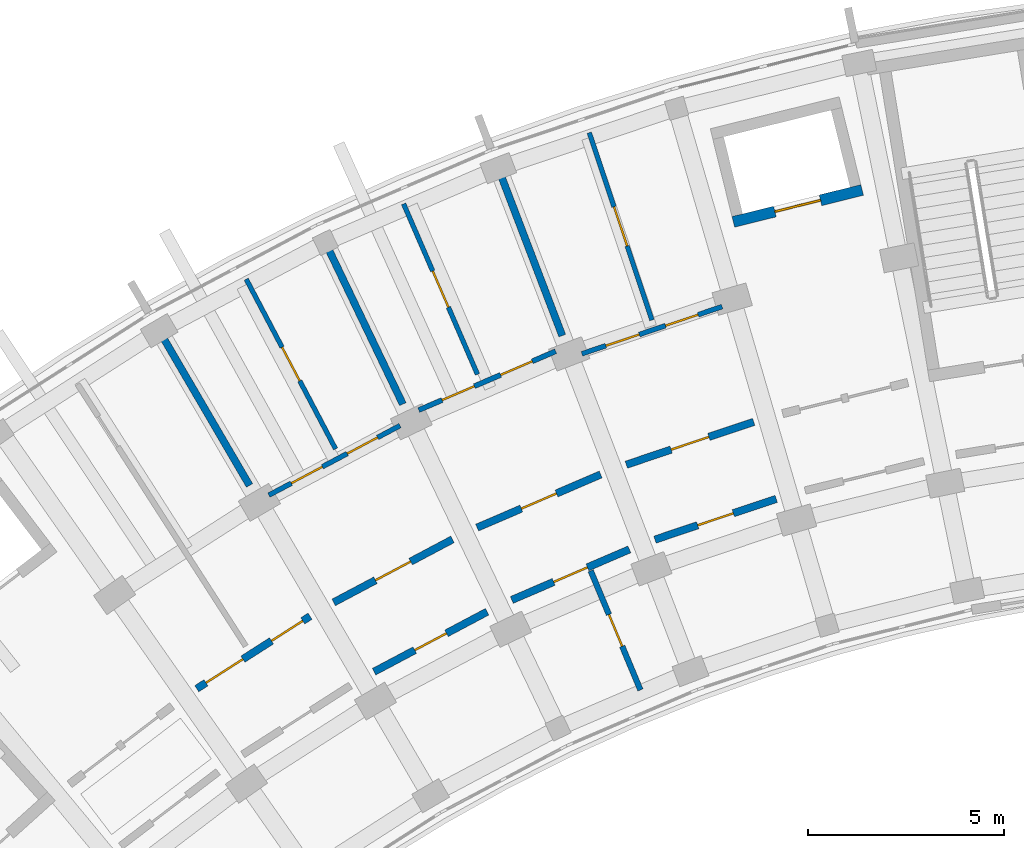
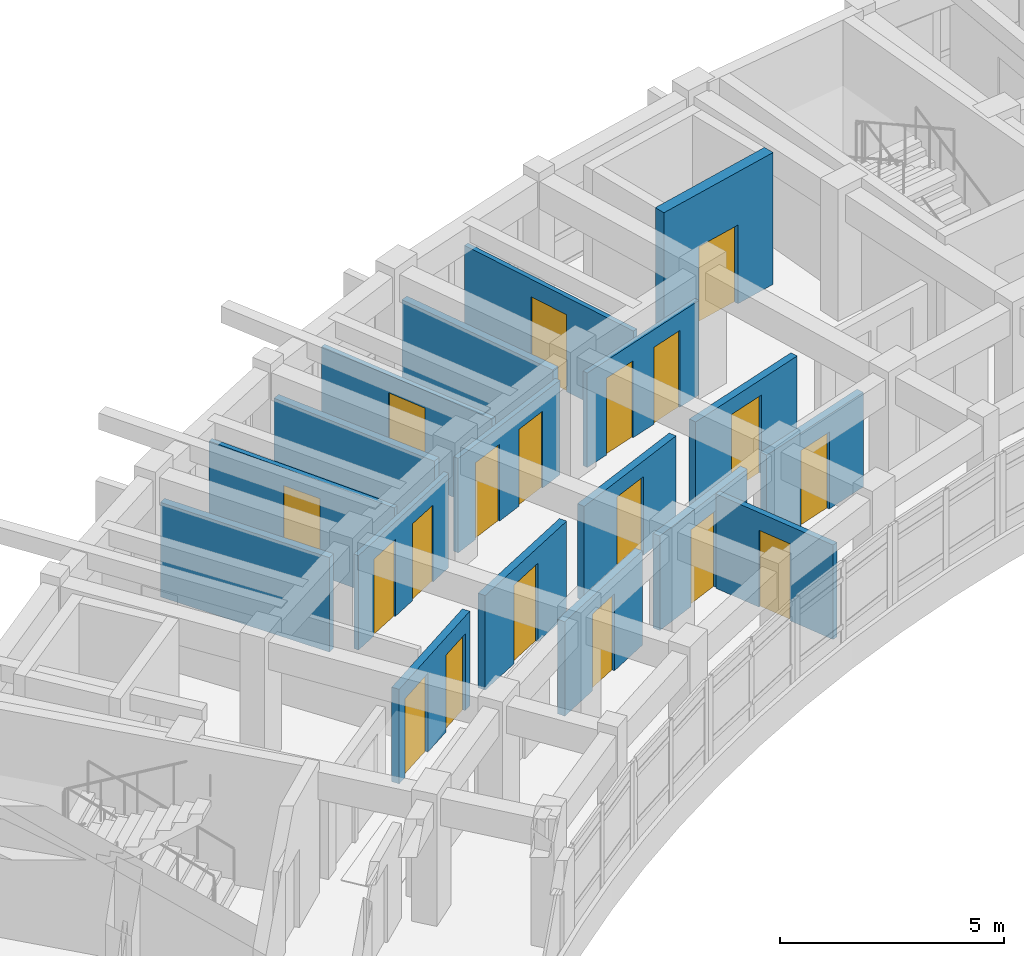
# One storey, part 60 of 83: 19 doors, 18 walls, 19 openings.
"""IFC4 building model written with IfcOpenShell, lengths in metres."""

from ifc_helpers import new_model, si_unit, direction, frame, frame_2d, origin, place, context, subcontext, project, spatial, rectangle, extrude, material, layer, layer_set, type_object, element, fill, save


model = new_model("IFC4")

# Units and contexts
model_context = context("Model", 3, precision=1e-05, world=origin(), true_north=direction((0.0, 1.0)))
body_context = subcontext(model_context, "Body", "Model", "MODEL_VIEW")
ifc_project = project(units=[si_unit("LENGTHUNIT", "METRE"), si_unit("AREAUNIT", "SQUARE_METRE"), si_unit("VOLUMEUNIT", "CUBIC_METRE"), si_unit("PLANEANGLEUNIT", "RADIAN"), si_unit("MASSUNIT", "GRAM", prefix="KILO")], contexts=[model_context])

# Site, building, storey
site_placement = place(None, origin())
site = spatial("IfcSite", under=ifc_project, at=site_placement, CompositionType="ELEMENT")
building_placement = place(site_placement, origin())
building = spatial("IfcBuilding", under=site, at=building_placement, Name="Zimvara Arc Housing Community", CompositionType="ELEMENT")
storey_placement = place(building_placement, frame((0.0, 0.0, 4.5)))
storey = spatial("IfcBuildingStorey", under=building, at=storey_placement, Name="L01", CompositionType="ELEMENT", Elevation=4.5)

# Wall, openings, doors
ifc_material_1 = material(Name="Concrete C35/45", Category="concrete")
ifc_layer_1 = layer(ifc_material_1, 0.18994140625)
ifc_layer_set_1 = layer_set([ifc_layer_1], Name="Concrete C35/45")
wall_type_1 = type_object("IfcWallType", Name="IWL-CORR-190", PredefinedType="SOLIDWALL", material=ifc_layer_set_1)
wall_1_placement = place(storey_placement, frame((16.272216796875, 86.198974609375, 0.0), z_axis=(0.0, 0.0, 1.0), x_axis=(0.842257205985, 0.539075874963, 0.0)))
wall_1 = element("IfcWall", 1, at=wall_1_placement, inside=storey, type_object=wall_type_1, Name="iwall:blkA:L01:corr_out:b3", PredefinedType="SOLIDWALL", context=body_context, shape_type="SweptSolid", body=[
    extrude(rectangle(XDim=3.43603515625, YDim=0.18994140625, at=frame_2d((1.718017578125, 0.0))), origin(), (0.0, 0.0, 1.0), 2.580078125),
])
opening_1_placement = place(wall_1_placement, frame((0.280029296875, 0.0, 0.0)))
opening_1 = element("IfcOpeningElement", 2, at=opening_1_placement, cuts=wall_1, Name="Opening D07", PredefinedType="OPENING", context=body_context, shape_type="SweptSolid", body=[
    extrude(rectangle(XDim=1.1201171875, YDim=2.14990234375, at=frame_2d((0.56005859375, 1.074951171875))), frame((0.0, 0.10498046875, 0.0), z_axis=(0.0, -1.0, 0.0), x_axis=(1.0, 0.0, 0.0)), (0.0, 0.0, 1.0), 0.2099609375),
])
opening_2_placement = place(wall_1_placement, frame((2.26611328125, 0.0, 0.0)))
opening_2 = element("IfcOpeningElement", 3, at=opening_2_placement, cuts=wall_1, Name="Opening D06", PredefinedType="OPENING", context=body_context, shape_type="SweptSolid", body=[
    extrude(rectangle(XDim=0.949951171875, YDim=2.10009765625, at=frame_2d((0.47509765625, 1.050048828125))), frame((0.0, 0.10498046875, 0.0), z_axis=(0.0, -1.0, 0.0), x_axis=(1.0, 0.0, 0.0)), (0.0, 0.0, 1.0), 0.2099609375),
])
ifc_material_2 = material(Name="Mozambican Hardwood", Category="wood")
door_type_1 = type_object("IfcDoorType", Name="IDR-AMN-1120x2150", OperationType="NOTDEFINED", PredefinedType="DOOR", material=ifc_material_2)
door_1_placement = place(opening_1_placement, origin())
door_1 = element("IfcDoor", 4, at=door_1_placement, inside=storey, type_object=door_type_1, Name="idoor:blkA:L01:amen:b3", OperationType="SINGLE_SWING_RIGHT", OverallHeight=2.14990234375, OverallWidth=1.1201171875, PredefinedType="DOOR", context=body_context, shape_type="SweptSolid", body=[
    extrude(rectangle(XDim=1.1201171875, YDim=2.14990234375, at=frame_2d((0.56005859375, 1.074951171875))), frame((0.0, 0.02490234375, 0.0), z_axis=(0.0, -1.0, 0.0), x_axis=(1.0, 0.0, 0.0)), (0.0, 0.0, 1.0), 0.050048828125),
])
fill(opening_1, door_1)
ifc_material_3 = material(Name="Mozambican Hardwood", Category="wood")
door_type_2 = type_object("IfcDoorType", Name="IDR-AWC-0950x2100", OperationType="NOTDEFINED", PredefinedType="DOOR", material=ifc_material_3)
door_2_placement = place(opening_2_placement, origin())
door_2 = element("IfcDoor", 5, at=door_2_placement, inside=storey, type_object=door_type_2, Name="idoor:blkA:L01:cawc:b3", OperationType="SINGLE_SWING_LEFT", OverallHeight=2.10009765625, OverallWidth=0.949951171875, PredefinedType="DOOR", context=body_context, shape_type="SweptSolid", body=[
    extrude(rectangle(XDim=0.949951171875, YDim=2.10009765625, at=frame_2d((0.47509765625, 1.050048828125))), frame((0.0, 0.02490234375, 0.0), z_axis=(0.0, -1.0, 0.0), x_axis=(1.0, 0.0, 0.0)), (0.0, 0.0, 1.0), 0.050048828125),
])
fill(opening_2, door_2)

# Wall, opening, door
wall_2_placement = place(storey_placement, frame((19.770263671875, 88.40380859375, 0.0), z_axis=(0.0, 0.0, 1.0), x_axis=(0.883410853063, 0.468599258099, 0.0)))
wall_2 = element("IfcWall", 6, at=wall_2_placement, inside=storey, type_object=wall_type_1, Name="iwall:blkA:L01:corr_out:b4", PredefinedType="SOLIDWALL", context=body_context, shape_type="SweptSolid", body=[
    extrude(rectangle(XDim=3.43603515625, YDim=0.18994140625, at=frame_2d((1.718017578125, 0.0))), origin(), (0.0, 0.0, 1.0), 2.580078125),
])
opening_3_placement = place(wall_2_placement, frame((1.2080078125, 0.0, 0.0)))
opening_3 = element("IfcOpeningElement", 7, at=opening_3_placement, cuts=wall_2, Name="Opening FD-FL2", PredefinedType="OPENING", context=body_context, shape_type="SweptSolid", body=[
    extrude(rectangle(XDim=1.02001953125, YDim=2.14990234375, at=frame_2d((0.510009765625, 1.074951171875))), frame((0.0, 0.10498046875, 0.0), z_axis=(0.0, -1.0, 0.0), x_axis=(1.0, 0.0, 0.0)), (0.0, 0.0, 1.0), 0.2099609375),
])
ifc_material_4 = material(Name="Mozambican Hardwood", Category="wood")
door_type_3 = type_object("IfcDoorType", Name="IDR-FLAT-1020x2150", OperationType="NOTDEFINED", PredefinedType="DOOR", material=ifc_material_4)
door_3_placement = place(opening_3_placement, origin())
door_3 = element("IfcDoor", 8, at=door_3_placement, inside=storey, type_object=door_type_3, Name="idoor:blkA:L01:flat:b4", OperationType="SINGLE_SWING_RIGHT", OverallHeight=2.14990234375, OverallWidth=1.02001953125, PredefinedType="DOOR", context=body_context, shape_type="SweptSolid", body=[
    extrude(rectangle(XDim=1.02001953125, YDim=2.14990234375, at=frame_2d((0.510009765625, 1.074951171875))), frame((0.0, 0.02490234375, 0.0), z_axis=(0.0, -1.0, 0.0), x_axis=(1.0, 0.0, 0.0)), (0.0, 0.0, 1.0), 0.050048828125),
])
fill(opening_3, door_3)

wall_3_placement = place(storey_placement, frame((20.8037109375, 86.633544921875, 0.0), z_axis=(0.0, 0.0, 1.0), x_axis=(0.883444301944, 0.468536194293, 0.0)))
wall_3 = element("IfcWall", 9, at=wall_3_placement, inside=storey, type_object=wall_type_1, Name="iwall:blkA:L01:corr_in:b4", PredefinedType="SOLIDWALL", context=body_context, shape_type="SweptSolid", body=[
    extrude(rectangle(XDim=3.268798828125, YDim=0.18994140625, at=frame_2d((1.63427734375, 0.0))), origin(), (0.0, 0.0, 1.0), 2.580078125),
])
opening_4_placement = place(wall_3_placement, frame((1.17431640625, 0.0, 0.0)))
opening_4 = element("IfcOpeningElement", 10, at=opening_4_placement, cuts=wall_3, Name="Opening D02", PredefinedType="OPENING", context=body_context, shape_type="SweptSolid", body=[
    extrude(rectangle(XDim=0.919921875, YDim=2.10009765625, at=frame_2d((0.4599609375, 1.050048828125))), frame((0.0, 0.10498046875, 0.0), z_axis=(0.0, -1.0, 0.0), x_axis=(1.0, 0.0, 0.0)), (0.0, 0.0, 1.0), 0.2099609375),
])
ifc_material_5 = material(Name="Mozambican Hardwood", Category="wood")
door_type_4 = type_object("IfcDoorType", Name="IDR-RM-0920x2100", OperationType="NOTDEFINED", PredefinedType="DOOR", material=ifc_material_5)
door_4_placement = place(opening_4_placement, origin())
door_4 = element("IfcDoor", 11, at=door_4_placement, inside=storey, type_object=door_type_4, Name="idoor:blkA:L01:in_rm:b4", OperationType="SINGLE_SWING_LEFT", OverallHeight=2.10009765625, OverallWidth=0.919921875, PredefinedType="DOOR", context=body_context, shape_type="SweptSolid", body=[
    extrude(rectangle(XDim=0.919921875, YDim=2.10009765625, at=frame_2d((0.4599609375, 1.050048828125))), frame((0.0, 0.02490234375, 0.0), z_axis=(0.0, -1.0, 0.0), x_axis=(1.0, 0.0, 0.0)), (0.0, 0.0, 1.0), 0.050048828125),
])
fill(opening_4, door_4)

wall_4_placement = place(storey_placement, frame((23.4365234375, 90.31591796875, 0.0), z_axis=(0.0, 0.0, 1.0), x_axis=(0.918718172399, 0.394913813008, 0.0)))
wall_4 = element("IfcWall", 12, at=wall_4_placement, inside=storey, type_object=wall_type_1, Name="iwall:blkA:L01:corr_out:b5", PredefinedType="SOLIDWALL", context=body_context, shape_type="SweptSolid", body=[
    extrude(rectangle(XDim=3.43603515625, YDim=0.18994140625, at=frame_2d((1.718017578125, 0.0))), origin(), (0.0, 0.0, 1.0), 2.580078125),
])
opening_5_placement = place(wall_4_placement, frame((1.22802734375, 0.0, 0.0)))
opening_5 = element("IfcOpeningElement", 13, at=opening_5_placement, cuts=wall_4, Name="Opening FD-FL1", PredefinedType="OPENING", context=body_context, shape_type="SweptSolid", body=[
    extrude(rectangle(XDim=0.97998046875, YDim=2.14990234375, at=frame_2d((0.489990234375, 1.074951171875))), frame((0.0, 0.10498046875, 0.0), z_axis=(0.0, -1.0, 0.0), x_axis=(1.0, 0.0, 0.0)), (0.0, 0.0, 1.0), 0.2099609375),
])
ifc_material_6 = material(Name="Mozambican Hardwood", Category="wood")
door_type_5 = type_object("IfcDoorType", Name="IDR-FLAT-0980x2150", OperationType="NOTDEFINED", PredefinedType="DOOR", material=ifc_material_6)
door_5_placement = place(opening_5_placement, origin())
door_5 = element("IfcDoor", 14, at=door_5_placement, inside=storey, type_object=door_type_5, Name="idoor:blkA:L01:flat:b5", OperationType="SINGLE_SWING_LEFT", OverallHeight=2.14990234375, OverallWidth=0.97998046875, PredefinedType="DOOR", context=body_context, shape_type="SweptSolid", body=[
    extrude(rectangle(XDim=0.97998046875, YDim=2.14990234375, at=frame_2d((0.489990234375, 1.074951171875))), frame((0.0, 0.02490234375, 0.0), z_axis=(0.0, -1.0, 0.0), x_axis=(1.0, 0.0, 0.0)), (0.0, 0.0, 1.0), 0.050048828125),
])
fill(opening_5, door_5)

wall_5_placement = place(storey_placement, frame((24.322265625, 88.46728515625, 0.0), z_axis=(0.0, 0.0, 1.0), x_axis=(0.918723391052, 0.394901672235, 0.0)))
wall_5 = element("IfcWall", 15, at=wall_5_placement, inside=storey, type_object=wall_type_1, Name="iwall:blkA:L01:corr_in:b5", PredefinedType="SOLIDWALL", context=body_context, shape_type="SweptSolid", body=[
    extrude(rectangle(XDim=3.2685546875, YDim=0.18994140625, at=frame_2d((1.63427734375, 0.0))), origin(), (0.0, 0.0, 1.0), 2.580078125),
])
opening_6_placement = place(wall_5_placement, frame((1.164306640625, 0.0, 0.0)))
opening_6 = element("IfcOpeningElement", 16, at=opening_6_placement, cuts=wall_5, Name="Opening D03", PredefinedType="OPENING", context=body_context, shape_type="SweptSolid", body=[
    extrude(rectangle(XDim=0.93994140625, YDim=2.10009765625, at=frame_2d((0.469970703125, 1.050048828125))), frame((0.0, 0.10498046875, 0.0), z_axis=(0.0, -1.0, 0.0), x_axis=(1.0, 0.0, 0.0)), (0.0, 0.0, 1.0), 0.2099609375),
])
ifc_material_7 = material(Name="Mozambican Hardwood", Category="wood")
door_type_6 = type_object("IfcDoorType", Name="IDR-RM-0940x2100", OperationType="NOTDEFINED", PredefinedType="DOOR", material=ifc_material_7)
door_6_placement = place(opening_6_placement, origin())
door_6 = element("IfcDoor", 17, at=door_6_placement, inside=storey, type_object=door_type_6, Name="idoor:blkA:L01:in_rm:b5", OperationType="SINGLE_SWING_RIGHT", OverallHeight=2.10009765625, OverallWidth=0.93994140625, PredefinedType="DOOR", context=body_context, shape_type="SweptSolid", body=[
    extrude(rectangle(XDim=0.93994140625, YDim=2.10009765625, at=frame_2d((0.469970703125, 1.050048828125))), frame((0.0, 0.02490234375, 0.0), z_axis=(0.0, -1.0, 0.0), x_axis=(1.0, 0.0, 0.0)), (0.0, 0.0, 1.0), 0.050048828125),
])
fill(opening_6, door_6)

wall_6_placement = place(storey_placement, frame((27.24658203125, 91.922607421875, 0.0), z_axis=(0.0, 0.0, 1.0), x_axis=(0.947863007629, 0.318678080151, 0.0)))
wall_6 = element("IfcWall", 18, at=wall_6_placement, inside=storey, type_object=wall_type_1, Name="iwall:blkA:L01:corr_out:b6", PredefinedType="SOLIDWALL", context=body_context, shape_type="SweptSolid", body=[
    extrude(rectangle(XDim=3.43603515625, YDim=0.18994140625, at=frame_2d((1.718017578125, 0.0))), origin(), (0.0, 0.0, 1.0), 2.580078125),
])
opening_7_placement = place(wall_6_placement, frame((1.2080078125, 0.0, 0.0)))
opening_7 = element("IfcOpeningElement", 19, at=opening_7_placement, cuts=wall_6, Name="Opening FD-FL2", PredefinedType="OPENING", context=body_context, shape_type="SweptSolid", body=[
    extrude(rectangle(XDim=1.02001953125, YDim=2.14990234375, at=frame_2d((0.510009765625, 1.074951171875))), frame((0.0, 0.10498046875, 0.0), z_axis=(0.0, -1.0, 0.0), x_axis=(1.0, 0.0, 0.0)), (0.0, 0.0, 1.0), 0.2099609375),
])
door_7_placement = place(opening_7_placement, origin())
door_7 = element("IfcDoor", 20, at=door_7_placement, inside=storey, type_object=door_type_3, Name="idoor:blkA:L01:flat:b6", OperationType="SINGLE_SWING_LEFT", OverallHeight=2.14990234375, OverallWidth=1.02001953125, PredefinedType="DOOR", context=body_context, shape_type="SweptSolid", body=[
    extrude(rectangle(XDim=1.02001953125, YDim=2.14990234375, at=frame_2d((0.510009765625, 1.074951171875))), frame((0.0, 0.02490234375, 0.0), z_axis=(0.0, -1.0, 0.0), x_axis=(1.0, 0.0, 0.0)), (0.0, 0.0, 1.0), 0.050048828125),
])
fill(opening_7, door_7)

wall_7_placement = place(storey_placement, frame((27.978515625, 90.0078125, 0.0), z_axis=(0.0, 0.0, 1.0), x_axis=(0.94787351033, 0.318646839643, 0.0)))
wall_7 = element("IfcWall", 21, at=wall_7_placement, inside=storey, type_object=wall_type_1, Name="iwall:blkA:L01:corr_in:b6", PredefinedType="SOLIDWALL", context=body_context, shape_type="SweptSolid", body=[
    extrude(rectangle(XDim=3.2685546875, YDim=0.18994140625, at=frame_2d((1.63427734375, 0.0))), origin(), (0.0, 0.0, 1.0), 2.580078125),
])
opening_8_placement = place(wall_7_placement, frame((1.154296875, 0.0, 0.0)))
opening_8 = element("IfcOpeningElement", 22, at=opening_8_placement, cuts=wall_7, Name="Opening D04", PredefinedType="OPENING", context=body_context, shape_type="SweptSolid", body=[
    extrude(rectangle(XDim=0.9599609375, YDim=2.10009765625, at=frame_2d((0.47998046875, 1.050048828125))), frame((0.0, 0.10498046875, 0.0), z_axis=(0.0, -1.0, 0.0), x_axis=(1.0, 0.0, 0.0)), (0.0, 0.0, 1.0), 0.2099609375),
])
ifc_material_8 = material(Name="Mozambican Hardwood", Category="wood")
door_type_7 = type_object("IfcDoorType", Name="IDR-RM-0960x2100", OperationType="NOTDEFINED", PredefinedType="DOOR", material=ifc_material_8)
door_8_placement = place(opening_8_placement, origin())
door_8 = element("IfcDoor", 23, at=door_8_placement, inside=storey, type_object=door_type_7, Name="idoor:blkA:L01:in_rm:b6", OperationType="SINGLE_SWING_RIGHT", OverallHeight=2.10009765625, OverallWidth=0.9599609375, PredefinedType="DOOR", context=body_context, shape_type="SweptSolid", body=[
    extrude(rectangle(XDim=0.9599609375, YDim=2.10009765625, at=frame_2d((0.47998046875, 1.050048828125))), frame((0.0, 0.02490234375, 0.0), z_axis=(0.0, -1.0, 0.0), x_axis=(1.0, 0.0, 0.0)), (0.0, 0.0, 1.0), 0.050048828125),
])
fill(opening_8, door_8)

# Walls
ifc_material_9 = material(Name="Concrete C35/45", Category="concrete")
ifc_layer_2 = layer(ifc_material_9, 0.18505859375)
ifc_layer_set_2 = layer_set([ifc_layer_2], Name="Concrete C35/45")
wall_type_2 = type_object("IfcWallType", Name="IWL-FLAT-185", PredefinedType="SOLIDWALL", material=ifc_layer_set_2)
for number, where, z_axis, x_axis, name in (
    (24, (17.62060546875, 91.391845703125, 0.0), (0.0, 0.0, 1.0), (-0.504216452091, 0.863577309475, 0.0), "iwall:blkA:L01:party:b4"),
    (25, (21.537841796875, 93.469482421875, 0.0), (0.0, 0.0, 1.0), (-0.432086898897, 0.901831975371, 0.0), "iwall:blkA:L01:party:b5"),
    (26, (25.611328125, 95.220458984375, 0.0), (0.0, 0.0, 1.0), (-0.357064016205, 0.934079915388, 0.0), "iwall:blkA:L01:party:b6"),
):
    element("IfcWall", number, at=place(storey_placement, frame(where, z_axis=z_axis, x_axis=x_axis)), inside=storey, type_object=wall_type_2, Name=name, PredefinedType="SOLIDWALL", context=body_context, shape_type="SweptSolid", body=[
        extrude(rectangle(XDim=4.35009765625, YDim=0.18505859375, at=frame_2d((2.175048828125, 0.0))), origin(), (0.0, 0.0, 1.0), 2.580078125),
    ])

# Wall, opening, door
ifc_material_10 = material(Name="Painted Acoustic Plasterboard")
ifc_layer_3 = layer(ifc_material_10, 0.1201171875)
ifc_layer_set_3 = layer_set([ifc_layer_3], Name="Painted Acoustic Plasterboard")
wall_type_3 = type_object("IfcWallType", Name="IWL-PART-120", PredefinedType="PARTITIONING", material=ifc_layer_set_3)
wall_8_placement = place(storey_placement, frame((19.819091796875, 92.325927734375, 0.0), z_axis=(0.0, 0.0, 1.0), x_axis=(-0.465849102717, 0.884864177995, 0.0)))
wall_8 = element("IfcWall", 27, at=wall_8_placement, inside=storey, type_object=wall_type_3, Name="iwall:blkA:L01:bed_div:b4", PredefinedType="PARTITIONING", context=body_context, shape_type="SweptSolid", body=[
    extrude(rectangle(XDim=4.900146484375, YDim=0.1201171875, at=frame_2d((2.4501953125, 0.0))), origin(), (0.0, 0.0, 1.0), 2.580078125),
])
opening_9_placement = place(wall_8_placement, frame((1.965087890625, 0.0, 0.0)))
opening_9 = element("IfcOpeningElement", 28, at=opening_9_placement, cuts=wall_8, Name="Opening D14", PredefinedType="OPENING", context=body_context, shape_type="SweptSolid", body=[
    extrude(rectangle(XDim=0.969970703125, YDim=2.10009765625, at=frame_2d((0.48486328125, 1.050048828125))), frame((0.0, 0.070068359375, 0.0), z_axis=(0.0, -1.0, 0.0), x_axis=(1.0, 0.0, 0.0)), (0.0, 0.0, 1.0), 0.14013671875),
])
ifc_material_11 = material(Name="Mozambican Hardwood", Category="wood")
door_type_8 = type_object("IfcDoorType", Name="IDR-MOD-970x2080", OperationType="NOTDEFINED", PredefinedType="DOOR", material=ifc_material_11)
door_9_placement = place(opening_9_placement, origin())
door_9 = element("IfcDoor", 29, at=door_9_placement, inside=storey, type_object=door_type_8, Name="idoor:blkA:L01:bed_d:b4", OperationType="SINGLE_SWING_RIGHT", OverallHeight=2.10009765625, OverallWidth=0.969970703125, PredefinedType="DOOR", context=body_context, shape_type="SweptSolid", body=[
    extrude(rectangle(XDim=0.969970703125, YDim=2.10009765625, at=frame_2d((0.48486328125, 1.050048828125))), frame((0.0, 0.02490234375, 0.0), z_axis=(0.0, -1.0, 0.0), x_axis=(1.0, 0.0, 0.0)), (0.0, 0.0, 1.0), 0.050048828125),
])
fill(opening_9, door_9)

wall_9_placement = place(storey_placement, frame((23.446044921875, 94.22998046875, 0.0), z_axis=(0.0, 0.0, 1.0), x_axis=(-0.3976752315, 0.917526244993, 0.0)))
wall_9 = element("IfcWall", 30, at=wall_9_placement, inside=storey, type_object=wall_type_3, Name="iwall:blkA:L01:bed_div:b5", PredefinedType="PARTITIONING", context=body_context, shape_type="SweptSolid", body=[
    extrude(rectangle(XDim=4.75, YDim=0.1201171875, at=frame_2d((2.375, 0.0))), origin(), (0.0, 0.0, 1.0), 2.580078125),
])
opening_10_placement = place(wall_9_placement, frame((1.8701171875, 0.0, 0.0)))
opening_10 = element("IfcOpeningElement", 31, at=opening_10_placement, cuts=wall_9, Name="Opening D15", PredefinedType="OPENING", context=body_context, shape_type="SweptSolid", body=[
    extrude(rectangle(XDim=1.010009765625, YDim=2.10009765625, at=frame_2d((0.5048828125, 1.050048828125))), frame((0.0, 0.070068359375, 0.0), z_axis=(0.0, -1.0, 0.0), x_axis=(1.0, 0.0, 0.0)), (0.0, 0.0, 1.0), 0.14013671875),
])
ifc_material_12 = material(Name="Mozambican Hardwood", Category="wood")
door_type_9 = type_object("IfcDoorType", Name="IDR-MOD-1010x2160", OperationType="NOTDEFINED", PredefinedType="DOOR", material=ifc_material_12)
door_10_placement = place(opening_10_placement, origin())
door_10 = element("IfcDoor", 32, at=door_10_placement, inside=storey, type_object=door_type_9, Name="idoor:blkA:L01:bed_d:b5", OperationType="SINGLE_SWING_RIGHT", OverallHeight=2.10009765625, OverallWidth=1.010009765625, PredefinedType="DOOR", context=body_context, shape_type="SweptSolid", body=[
    extrude(rectangle(XDim=1.010009765625, YDim=2.10009765625, at=frame_2d((0.5048828125, 1.050048828125))), frame((0.0, 0.02490234375, 0.0), z_axis=(0.0, -1.0, 0.0), x_axis=(1.0, 0.0, 0.0)), (0.0, 0.0, 1.0), 0.050048828125),
])
fill(opening_10, door_10)

wall_10_placement = place(storey_placement, frame((27.903076171875, 95.616455078125, 0.0), z_axis=(0.0, 0.0, 1.0), x_axis=(-0.31722829501, 0.948349201953, 0.0)))
wall_10 = element("IfcWall", 33, at=wall_10_placement, inside=storey, type_object=wall_type_3, Name="iwall:blkA:L01:bed_div:b6", PredefinedType="PARTITIONING", context=body_context, shape_type="SweptSolid", body=[
    extrude(rectangle(XDim=5.050048828125, YDim=0.1201171875, at=frame_2d((2.52490234375, 0.0))), origin(), (0.0, 0.0, 1.0), 2.580078125),
])
opening_11_placement = place(wall_10_placement, frame((1.9951171875, 0.0, 0.0)))
opening_11 = element("IfcOpeningElement", 34, at=opening_11_placement, cuts=wall_10, Name="Opening D16", PredefinedType="OPENING", context=body_context, shape_type="SweptSolid", body=[
    extrude(rectangle(XDim=1.06005859375, YDim=2.10009765625, at=frame_2d((0.530029296875, 1.050048828125))), frame((0.0, 0.070068359375, 0.0), z_axis=(0.0, -1.0, 0.0), x_axis=(1.0, 0.0, 0.0)), (0.0, 0.0, 1.0), 0.14013671875),
])
ifc_material_13 = material(Name="Mozambican Hardwood", Category="wood")
door_type_10 = type_object("IfcDoorType", Name="IDR-MOD-1060x2220", OperationType="NOTDEFINED", PredefinedType="DOOR", material=ifc_material_13)
door_11_placement = place(opening_11_placement, origin())
door_11 = element("IfcDoor", 35, at=door_11_placement, inside=storey, type_object=door_type_10, Name="idoor:blkA:L01:bed_d:b6", OperationType="SINGLE_SWING_LEFT", OverallHeight=2.10009765625, OverallWidth=1.06005859375, PredefinedType="DOOR", context=body_context, shape_type="SweptSolid", body=[
    extrude(rectangle(XDim=1.06005859375, YDim=2.10009765625, at=frame_2d((0.530029296875, 1.050048828125))), frame((0.0, 0.02490234375, 0.0), z_axis=(0.0, -1.0, 0.0), x_axis=(1.0, 0.0, 0.0)), (0.0, 0.0, 1.0), 0.050048828125),
])
fill(opening_11, door_11)

# Wall, openings, doors
ifc_material_14 = material(Name="Painted Acoustic Plasterboard")
ifc_layer_4 = layer(ifc_material_14, 0.125)
ifc_layer_set_4 = layer_set([ifc_layer_4], Name="Painted Acoustic Plasterboard")
wall_type_4 = type_object("IfcWallType", Name="IWL-PART-125", PredefinedType="PARTITIONING", material=ifc_layer_set_4)
wall_11_placement = place(storey_placement, frame((18.112548828125, 91.143798828125, 0.0), z_axis=(0.0, 0.0, 1.0), x_axis=(0.88341855112, 0.46858474531, 0.0)))
wall_11 = element("IfcWall", 36, at=wall_11_placement, inside=storey, type_object=wall_type_4, Name="iwall:blkA:L01:srv:b4", PredefinedType="PARTITIONING", context=body_context, shape_type="SweptSolid", body=[
    extrude(rectangle(XDim=3.797119140625, YDim=0.125, at=frame_2d((1.8984375, 0.0))), origin(), (0.0, 0.0, 1.0), 2.580078125),
])
opening_12_placement = place(wall_11_placement, frame((0.64990234375, 0.0, 0.0)))
opening_12 = element("IfcOpeningElement", 37, at=opening_12_placement, cuts=wall_11, Name="Opening D01", PredefinedType="OPENING", context=body_context, shape_type="SweptSolid", body=[
    extrude(rectangle(XDim=0.89990234375, YDim=2.10009765625, at=frame_2d((0.449951171875, 1.050048828125))), frame((0.0, 0.072509765625, 0.0), z_axis=(0.0, -1.0, 0.0), x_axis=(1.0, 0.0, 0.0)), (0.0, 0.0, 1.0), 0.14501953125),
])
opening_13_placement = place(wall_11_placement, frame((2.267333984375, 0.0, 0.0)))
opening_13 = element("IfcOpeningElement", 38, at=opening_13_placement, cuts=wall_11, Name="Opening D05", PredefinedType="OPENING", context=body_context, shape_type="SweptSolid", body=[
    extrude(rectangle(XDim=0.8798828125, YDim=2.10009765625, at=frame_2d((0.43994140625, 1.050048828125))), frame((0.0, 0.072509765625, 0.0), z_axis=(0.0, -1.0, 0.0), x_axis=(1.0, 0.0, 0.0)), (0.0, 0.0, 1.0), 0.14501953125),
])
ifc_material_15 = material(Name="Mozambican Hardwood", Category="wood")
door_type_11 = type_object("IfcDoorType", Name="IDR-RM-0900x2100", OperationType="NOTDEFINED", PredefinedType="DOOR", material=ifc_material_15)
door_12_placement = place(opening_12_placement, origin())
door_12 = element("IfcDoor", 39, at=door_12_placement, inside=storey, type_object=door_type_11, Name="idoor:blkA:L01:kit_liv:b4", OperationType="SINGLE_SWING_RIGHT", OverallHeight=2.10009765625, OverallWidth=0.89990234375, PredefinedType="DOOR", context=body_context, shape_type="SweptSolid", body=[
    extrude(rectangle(XDim=0.89990234375, YDim=2.10009765625, at=frame_2d((0.449951171875, 1.050048828125))), frame((0.0, 0.02490234375, 0.0), z_axis=(0.0, -1.0, 0.0), x_axis=(1.0, 0.0, 0.0)), (0.0, 0.0, 1.0), 0.050048828125),
])
fill(opening_12, door_12)
ifc_material_16 = material(Name="Mozambican Hardwood", Category="wood")
door_type_12 = type_object("IfcDoorType", Name="IDR-WC-0880x2100", OperationType="NOTDEFINED", PredefinedType="DOOR", material=ifc_material_16)
door_13_placement = place(opening_13_placement, origin())
door_13 = element("IfcDoor", 40, at=door_13_placement, inside=storey, type_object=door_type_12, Name="idoor:blkA:L01:bath_d:b4", OperationType="SINGLE_SWING_LEFT", OverallHeight=2.10009765625, OverallWidth=0.8798828125, PredefinedType="DOOR", context=body_context, shape_type="SweptSolid", body=[
    extrude(rectangle(XDim=0.8798828125, YDim=2.10009765625, at=frame_2d((0.43994140625, 1.050048828125))), frame((0.0, 0.02490234375, 0.0), z_axis=(0.0, -1.0, 0.0), x_axis=(1.0, 0.0, 0.0)), (0.0, 0.0, 1.0), 0.050048828125),
])
fill(opening_13, door_13)

wall_12_placement = place(storey_placement, frame((26.110107421875, 94.755615234375, 0.0), z_axis=(0.0, 0.0, 1.0), x_axis=(0.947873924847, 0.318645606584, 0.0)))
wall_12 = element("IfcWall", 41, at=wall_12_placement, inside=storey, type_object=wall_type_4, Name="iwall:blkA:L01:srv:b6", PredefinedType="PARTITIONING", context=body_context, shape_type="SweptSolid", body=[
    extrude(rectangle(XDim=3.784912109375, YDim=0.125, at=frame_2d((1.892578125, 0.0))), origin(), (0.0, 0.0, 1.0), 2.580078125),
])
opening_14_placement = place(wall_12_placement, frame((0.64990234375, 0.0, 0.0)))
opening_14 = element("IfcOpeningElement", 42, at=opening_14_placement, cuts=wall_12, Name="Opening D01", PredefinedType="OPENING", context=body_context, shape_type="SweptSolid", body=[
    extrude(rectangle(XDim=0.89990234375, YDim=2.10009765625, at=frame_2d((0.449951171875, 1.050048828125))), frame((0.0, 0.072509765625, 0.0), z_axis=(0.0, -1.0, 0.0), x_axis=(1.0, 0.0, 0.0)), (0.0, 0.0, 1.0), 0.14501953125),
])
opening_15_placement = place(wall_12_placement, frame((2.255126953125, 0.0, 0.0)))
opening_15 = element("IfcOpeningElement", 43, at=opening_15_placement, cuts=wall_12, Name="Opening D05", PredefinedType="OPENING", context=body_context, shape_type="SweptSolid", body=[
    extrude(rectangle(XDim=0.8798828125, YDim=2.10009765625, at=frame_2d((0.43994140625, 1.050048828125))), frame((0.0, 0.072509765625, 0.0), z_axis=(0.0, -1.0, 0.0), x_axis=(1.0, 0.0, 0.0)), (0.0, 0.0, 1.0), 0.14501953125),
])
door_14_placement = place(opening_14_placement, origin())
door_14 = element("IfcDoor", 44, at=door_14_placement, inside=storey, type_object=door_type_11, Name="idoor:blkA:L01:kit_liv:b6", OperationType="SINGLE_SWING_LEFT", OverallHeight=2.10009765625, OverallWidth=0.89990234375, PredefinedType="DOOR", context=body_context, shape_type="SweptSolid", body=[
    extrude(rectangle(XDim=0.89990234375, YDim=2.10009765625, at=frame_2d((0.449951171875, 1.050048828125))), frame((0.0, 0.02490234375, 0.0), z_axis=(0.0, -1.0, 0.0), x_axis=(1.0, 0.0, 0.0)), (0.0, 0.0, 1.0), 0.050048828125),
])
fill(opening_14, door_14)
door_15_placement = place(opening_15_placement, origin())
door_15 = element("IfcDoor", 45, at=door_15_placement, inside=storey, type_object=door_type_12, Name="idoor:blkA:L01:bath_d:b6", OperationType="SINGLE_SWING_RIGHT", OverallHeight=2.10009765625, OverallWidth=0.8798828125, PredefinedType="DOOR", context=body_context, shape_type="SweptSolid", body=[
    extrude(rectangle(XDim=0.8798828125, YDim=2.10009765625, at=frame_2d((0.43994140625, 1.050048828125))), frame((0.0, 0.02490234375, 0.0), z_axis=(0.0, -1.0, 0.0), x_axis=(1.0, 0.0, 0.0)), (0.0, 0.0, 1.0), 0.050048828125),
])
fill(opening_15, door_15)

ifc_material_17 = material(Name="Painted Acoustic Plasterboard")
ifc_layer_5 = layer(ifc_material_17, 0.1298828125)
ifc_layer_set_5 = layer_set([ifc_layer_5], Name="Painted Acoustic Plasterboard")
wall_type_5 = type_object("IfcWallType", Name="IWL-PART-130", PredefinedType="PARTITIONING", material=ifc_layer_set_5)
wall_13_placement = place(storey_placement, frame((21.94287109375, 93.3173828125, 0.0), z_axis=(0.0, 0.0, 1.0), x_axis=(0.918726854017, 0.394893615684, 0.0)))
wall_13 = element("IfcWall", 46, at=wall_13_placement, inside=storey, type_object=wall_type_5, Name="iwall:blkA:L01:srv:b5", PredefinedType="PARTITIONING", context=body_context, shape_type="SweptSolid", body=[
    extrude(rectangle(XDim=3.8095703125, YDim=0.1298828125, at=frame_2d((1.90478515625, 0.0))), origin(), (0.0, 0.0, 1.0), 2.580078125),
])
opening_16_placement = place(wall_13_placement, frame((0.64990234375, 0.0, 0.0)))
opening_16 = element("IfcOpeningElement", 47, at=opening_16_placement, cuts=wall_13, Name="Opening D01", PredefinedType="OPENING", context=body_context, shape_type="SweptSolid", body=[
    extrude(rectangle(XDim=0.89990234375, YDim=2.10009765625, at=frame_2d((0.449951171875, 1.050048828125))), frame((0.0, 0.074951171875, 0.0), z_axis=(0.0, -1.0, 0.0), x_axis=(1.0, 0.0, 0.0)), (0.0, 0.0, 1.0), 0.14990234375),
])
opening_17_placement = place(wall_13_placement, frame((2.279541015625, 0.0, 0.0)))
opening_17 = element("IfcOpeningElement", 48, at=opening_17_placement, cuts=wall_13, Name="Opening D05", PredefinedType="OPENING", context=body_context, shape_type="SweptSolid", body=[
    extrude(rectangle(XDim=0.8798828125, YDim=2.10009765625, at=frame_2d((0.43994140625, 1.050048828125))), frame((0.0, 0.074951171875, 0.0), z_axis=(0.0, -1.0, 0.0), x_axis=(1.0, 0.0, 0.0)), (0.0, 0.0, 1.0), 0.14990234375),
])
door_16_placement = place(opening_16_placement, origin())
door_16 = element("IfcDoor", 49, at=door_16_placement, inside=storey, type_object=door_type_11, Name="idoor:blkA:L01:kit_liv:b5", OperationType="SINGLE_SWING_RIGHT", OverallHeight=2.10009765625, OverallWidth=0.89990234375, PredefinedType="DOOR", context=body_context, shape_type="SweptSolid", body=[
    extrude(rectangle(XDim=0.89990234375, YDim=2.10009765625, at=frame_2d((0.449951171875, 1.050048828125))), frame((0.0, 0.02490234375, 0.0), z_axis=(0.0, -1.0, 0.0), x_axis=(1.0, 0.0, 0.0)), (0.0, 0.0, 1.0), 0.050048828125),
])
fill(opening_16, door_16)
door_17_placement = place(opening_17_placement, origin())
door_17 = element("IfcDoor", 50, at=door_17_placement, inside=storey, type_object=door_type_12, Name="idoor:blkA:L01:bath_d:b5", OperationType="SINGLE_SWING_LEFT", OverallHeight=2.10009765625, OverallWidth=0.8798828125, PredefinedType="DOOR", context=body_context, shape_type="SweptSolid", body=[
    extrude(rectangle(XDim=0.8798828125, YDim=2.10009765625, at=frame_2d((0.43994140625, 1.050048828125))), frame((0.0, 0.02490234375, 0.0), z_axis=(0.0, -1.0, 0.0), x_axis=(1.0, 0.0, 0.0)), (0.0, 0.0, 1.0), 0.050048828125),
])
fill(opening_17, door_17)

# Wall, opening, door
ifc_material_18 = material(Name="Painted Acoustic Plasterboard")
ifc_layer_6 = layer(ifc_material_18, 0.14501953125)
ifc_layer_set_6 = layer_set([ifc_layer_6], Name="Painted Acoustic Plasterboard")
wall_type_6 = type_object("IfcWallType", Name="IWL-WET-145", PredefinedType="PARTITIONING", material=ifc_layer_set_6)
wall_14_placement = place(storey_placement, frame((27.60888671875, 86.166259765625, 0.0), z_axis=(0.0, 0.0, 1.0), x_axis=(-0.385151143297, 0.922853507777, 0.0)))
wall_14 = element("IfcWall", 51, at=wall_14_placement, inside=storey, type_object=wall_type_6, Name="iwall:blkA:L01:ens:b5", PredefinedType="PARTITIONING", context=body_context, shape_type="SweptSolid", body=[
    extrude(rectangle(XDim=3.300048828125, YDim=0.14501953125, at=frame_2d((1.64990234375, 0.0))), origin(), (0.0, 0.0, 1.0), 2.580078125),
])
opening_18_placement = place(wall_14_placement, frame((1.2099609375, 0.0, 0.0)))
opening_18 = element("IfcOpeningElement", 52, at=opening_18_placement, cuts=wall_14, Name="Opening D05", PredefinedType="OPENING", context=body_context, shape_type="SweptSolid", body=[
    extrude(rectangle(XDim=0.8798828125, YDim=2.10009765625, at=frame_2d((0.43994140625, 1.050048828125))), frame((0.0, 0.08251953125, 0.0), z_axis=(0.0, -1.0, 0.0), x_axis=(1.0, 0.0, 0.0)), (0.0, 0.0, 1.0), 0.1650390625),
])
door_18_placement = place(opening_18_placement, origin())
door_18 = element("IfcDoor", 53, at=door_18_placement, inside=storey, type_object=door_type_12, Name="idoor:blkA:L01:ens_d:b5", OperationType="SINGLE_SWING_LEFT", OverallHeight=2.10009765625, OverallWidth=0.8798828125, PredefinedType="DOOR", context=body_context, shape_type="SweptSolid", body=[
    extrude(rectangle(XDim=0.8798828125, YDim=2.10009765625, at=frame_2d((0.43994140625, 1.050048828125))), frame((0.0, 0.02490234375, 0.0), z_axis=(0.0, -1.0, 0.0), x_axis=(1.0, 0.0, 0.0)), (0.0, 0.0, 1.0), 0.050048828125),
])
fill(opening_18, door_18)

ifc_material_19 = material(Name="Concrete C40/50", Category="concrete")
ifc_layer_7 = layer(ifc_material_19, 0.280029296875)
ifc_layer_set_7 = layer_set([ifc_layer_7], Name="Concrete C40/50")
wall_type_7 = type_object("IfcWallType", Name="WL-CORE-280", PredefinedType="SHEAR", material=ifc_layer_set_7)
wall_15_placement = place(storey_placement, frame((33.27294921875, 98.942138671875, 0.0), z_axis=(0.0, 0.0, 1.0), x_axis=(-0.970707542441, -0.240264160972, 0.0)))
wall_15 = element("IfcWall", 54, at=wall_15_placement, inside=storey, type_object=wall_type_7, Name="lwall:LF-A2:L01:front", PredefinedType="SHEAR", context=body_context, shape_type="SweptSolid", body=[
    extrude(rectangle(XDim=3.389892578125, YDim=0.280029296875, at=frame_2d((1.69482421875, 0.0))), origin(), (0.0, 0.0, 1.0), 3.60009765625),
])
opening_19_placement = place(wall_15_placement, frame((1.094970703125, 0.0, 0.0)))
opening_19 = element("IfcOpeningElement", 55, at=opening_19_placement, cuts=wall_15, Name="Opening LD-LF-A2", PredefinedType="OPENING", context=body_context, shape_type="SweptSolid", body=[
    extrude(rectangle(XDim=1.199951171875, YDim=2.14990234375, at=frame_2d((0.60009765625, 1.074951171875))), frame((0.0, 0.14990234375, 0.0), z_axis=(0.0, -1.0, 0.0), x_axis=(1.0, 0.0, 0.0)), (0.0, 0.0, 1.0), 0.300048828125),
])
ifc_material_20 = material(Name="Anodised Aluminium AW-6063", Category="aluminium")
door_type_13 = type_object("IfcDoorType", Name="IDR-LD-1200x2150", OperationType="DOUBLE_DOOR_SLIDING", PredefinedType="DOOR", material=ifc_material_20)
door_19_placement = place(opening_19_placement, origin())
door_19 = element("IfcDoor", 56, at=door_19_placement, inside=storey, type_object=door_type_13, Name="Lift LF-A2 Sliding Landing Door L01", OperationType="DOUBLE_DOOR_SLIDING", OverallHeight=2.14990234375, OverallWidth=1.199951171875, PredefinedType="DOOR", context=body_context, shape_type="SweptSolid", body=[
    extrude(rectangle(XDim=1.199951171875, YDim=2.14990234375, at=frame_2d((0.60009765625, 1.074951171875))), frame((0.0, 0.02490234375, 0.0), z_axis=(0.0, -1.0, 0.0), x_axis=(1.0, 0.0, 0.0)), (0.0, 0.0, 1.0), 0.050048828125),
])
fill(opening_19, door_19)

save(model, "model.ifc")
